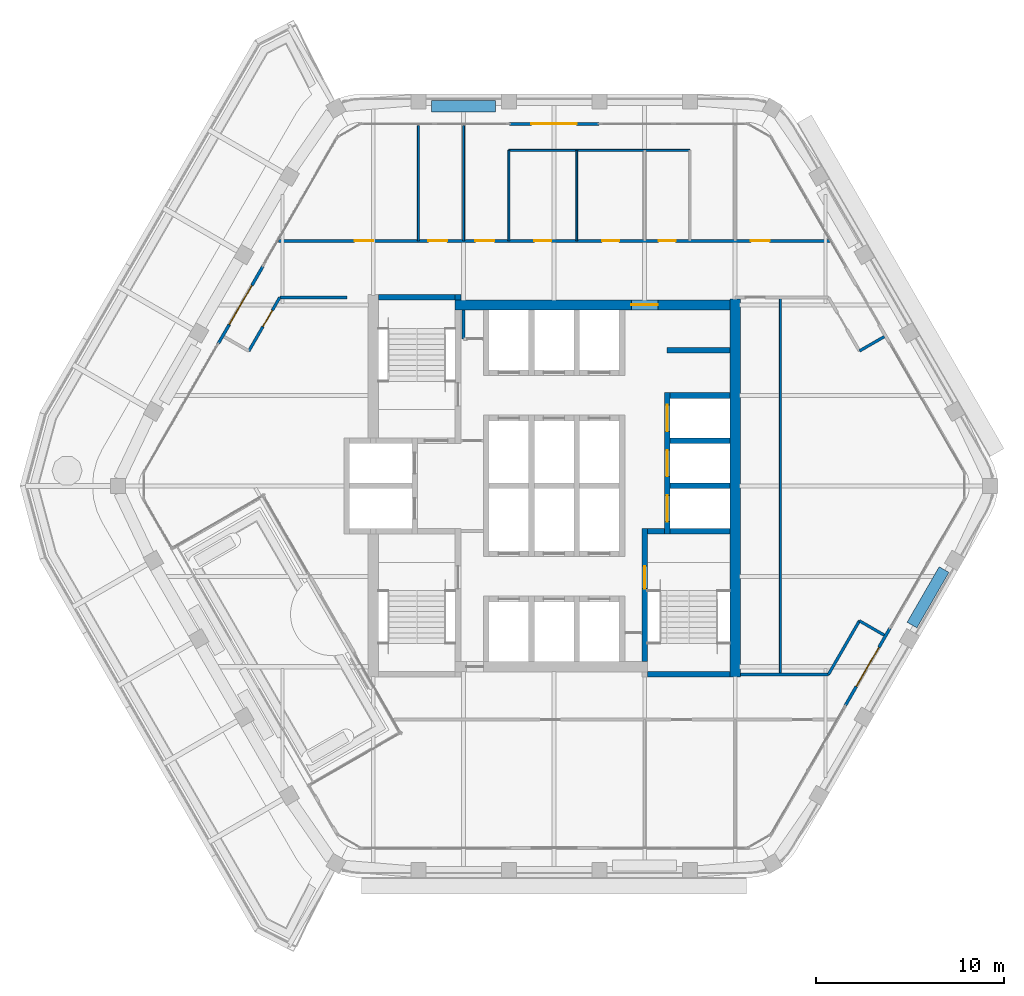
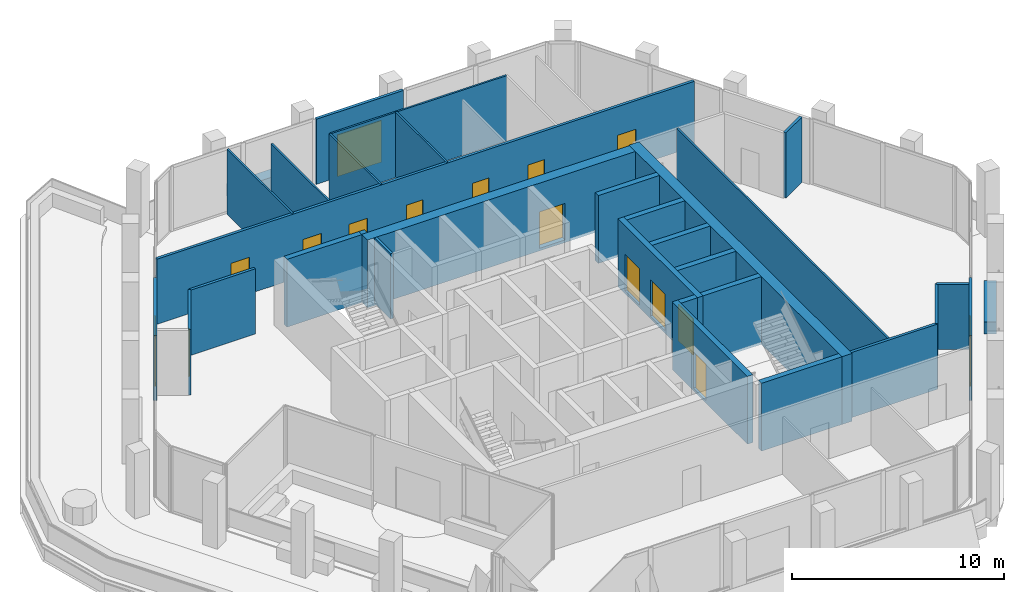
# One storey, part 11 of 15: 32 walls, 16 doors, 16 openings.
"""IFC4 building model written with IfcOpenShell, lengths in metres."""

from ifc_helpers import new_model, si_unit, direction, frame, frame_2d, origin, place, context, subcontext, project, spatial, rectangle, extrude, material, layer, layer_set, type_object, element, fill, save


model = new_model("IFC4")

# Units and contexts
model_context = context("Model", 3, precision=1e-05, world=origin(), true_north=direction((0.0, 1.0)))
body_context = subcontext(model_context, "Body", "Model", "MODEL_VIEW")
ifc_project = project(units=[si_unit("LENGTHUNIT", "METRE"), si_unit("AREAUNIT", "SQUARE_METRE"), si_unit("VOLUMEUNIT", "CUBIC_METRE"), si_unit("PLANEANGLEUNIT", "RADIAN"), si_unit("MASSUNIT", "GRAM", prefix="KILO")], contexts=[model_context])

# Site, building, storey
site_placement = place(None, origin())
site = spatial("IfcSite", under=ifc_project, at=site_placement, CompositionType="ELEMENT")
building_placement = place(site_placement, origin())
building = spatial("IfcBuilding", under=site, at=building_placement, Name="Kolab Exchange Tower", CompositionType="ELEMENT")
storey_placement = place(building_placement, frame((0.0, 0.0, 238.39990234375)))
storey = spatial("IfcBuildingStorey", under=building, at=storey_placement, Name="L52", CompositionType="ELEMENT", Elevation=238.39990234375)

# Wall, opening, door
ifc_material_1 = material(Name="Concrete C50/60", Category="concrete")
ifc_layer_1 = layer(ifc_material_1, 0.550048828125)
ifc_layer_set_1 = layer_set([ifc_layer_1], Name="Concrete C50/60")
wall_type_1 = type_object("IfcWallType", Name="CORE WALL 550 C50/60", PredefinedType="SHEAR", material=ifc_layer_set_1)
wall_1_placement = place(storey_placement, frame((-5.25, 9.60009765625, -0.14990234375), z_axis=(0.0, 0.0, 1.0), x_axis=(1.0, 0.0, 0.0)))
wall_1 = element("IfcWall", 1, at=wall_1_placement, inside=storey, type_object=wall_type_1, Name="wall/L52/core/031", PredefinedType="SHEAR", context=body_context, shape_type="SweptSolid", body=[
    extrude(rectangle(XDim=14.574951171875, YDim=0.550048828125, at=frame_2d((7.28759765625, 0.0))), origin(), (0.0, 0.0, 1.0), 3.89990234375),
])
opening_1_placement = place(wall_1_placement, frame((9.35009765625, 0.0, 0.14990234375)))
opening_1 = element("IfcOpeningElement", 2, at=opening_1_placement, cuts=wall_1, Name="Opening D5-011", PredefinedType="OPENING", context=body_context, shape_type="SweptSolid", body=[
    extrude(rectangle(XDim=1.39990234375, YDim=2.10009765625, at=frame_2d((0.699951171875, 1.050048828125))), frame((0.0, 0.28515625, 0.0), z_axis=(0.0, -1.0, 0.0), x_axis=(1.0, 0.0, 0.0)), (0.0, 0.0, 1.0), 0.570068359375),
])
ifc_material_2 = material(Name="Steel S235", Category="steel")
door_type_1 = type_object("IfcDoorType", Name="CORE DOOR 1400 EI 120", OperationType="DOUBLE_DOOR_SINGLE_SWING", PredefinedType="DOOR", material=ifc_material_2)
door_1_placement = place(opening_1_placement, frame((1.39990234375, 0.0, 0.0), z_axis=(0.0, 0.0, 1.0), x_axis=(-1.0, 0.0, 0.0)))
door_1 = element("IfcDoor", 3, at=door_1_placement, inside=storey, type_object=door_type_1, Name="Core lobby door", OperationType="SINGLE_SWING_LEFT", OverallHeight=2.10009765625, OverallWidth=1.39990234375, PredefinedType="DOOR", context=body_context, shape_type="SweptSolid", body=[
    extrude(rectangle(XDim=1.39990234375, YDim=2.10009765625, at=frame_2d((0.699951171875, 1.050048828125))), frame((0.0, 0.02490234375, 0.0), z_axis=(0.0, -1.0, 0.0), x_axis=(1.0, 0.0, 0.0)), (0.0, 0.0, 1.0), 0.050048828125),
])
fill(opening_1, door_1)

# Wall
wall_2_placement = place(storey_placement, frame((9.60009765625, -10.14990234375, -0.14990234375), z_axis=(0.0, 0.0, 1.0), x_axis=(0.0, 1.0, 0.0)))
element("IfcWall", 4, at=wall_2_placement, inside=storey, type_object=wall_type_1, Name="wall/L52/core/058", PredefinedType="SHEAR", context=body_context, shape_type="SweptSolid", body=[
    extrude(rectangle(XDim=20.074951171875, YDim=0.550048828125, at=frame_2d((10.03759765625, 0.0))), origin(), (0.0, 0.0, 1.0), 3.89990234375),
])

# Wall, opening, door
ifc_material_3 = material(Name="Aluminium EN AW-6063 T6", Category="aluminium")
ifc_layer_2 = layer(ifc_material_3, 0.159912109375)
ifc_layer_set_2 = layer_set([ifc_layer_2], Name="Aluminium EN AW-6063 T6")
wall_type_2 = type_object("IfcWallType", Name="DOOR SURROUND WALL 160 ALUMINIUM FRAMED", PredefinedType="PARTITIONING", material=ifc_layer_set_2)
wall_3_placement = place(storey_placement, frame((-2.3701171875, 19.20458984375, 0.0), z_axis=(0.0, 0.0, 1.0), x_axis=(1.0, 0.0, 0.0)))
wall_3 = element("IfcWall", 5, at=wall_3_placement, inside=storey, type_object=wall_type_2, Name="Door surround wall", PredefinedType="PARTITIONING", context=body_context, shape_type="SweptSolid", body=[
    extrude(rectangle(XDim=4.740234375, YDim=0.159912109375, at=frame_2d((2.3701171875, 0.0))), origin(), (0.0, 0.0, 1.0), 3.75),
])
opening_2_placement = place(wall_3_placement, frame((1.169921875, 0.0, 0.0)))
opening_2 = element("IfcOpeningElement", 6, at=opening_2_placement, cuts=wall_3, Name="Opening GD1-089", PredefinedType="OPENING", context=body_context, shape_type="SweptSolid", body=[
    extrude(rectangle(XDim=2.39990234375, YDim=2.39990234375, at=frame_2d((1.199951171875, 1.199951171875))), frame((0.0, 0.08984375, 0.0), z_axis=(0.0, -1.0, 0.0), x_axis=(1.0, 0.0, 0.0)), (0.0, 0.0, 1.0), 0.179931640625),
])
door_type_2 = type_object("IfcDoorType", Name="LOGGIA SLIDING GLASS DOOR 2400 X 2400", OperationType="DOUBLE_DOOR_SINGLE_SWING", PredefinedType="DOOR", material=ifc_material_3)
door_2_placement = place(opening_2_placement, origin())
door_2 = element("IfcDoor", 7, at=door_2_placement, inside=storey, type_object=door_type_2, Name="Loggia door", OperationType="DOUBLE_DOOR_SLIDING", OverallHeight=2.39990234375, OverallWidth=2.39990234375, PredefinedType="DOOR", context=body_context, shape_type="SweptSolid", body=[
    extrude(rectangle(XDim=2.39990234375, YDim=2.39990234375, at=frame_2d((1.199951171875, 1.199951171875))), frame((0.0, 0.02490234375, 0.0), z_axis=(0.0, -1.0, 0.0), x_axis=(1.0, 0.0, 0.0)), (0.0, 0.0, 1.0), 0.050048828125),
])
fill(opening_2, door_2)

wall_4_placement = place(storey_placement, frame((17.816650390625, -7.5498046875, 0.0), z_axis=(0.0, 0.0, 1.0), x_axis=(-0.499978080042, -0.866038058908, 0.0)))
wall_4 = element("IfcWall", 8, at=wall_4_placement, inside=storey, type_object=wall_type_2, Name="Door surround wall", PredefinedType="PARTITIONING", context=body_context, shape_type="SweptSolid", body=[
    extrude(rectangle(XDim=4.739990234375, YDim=0.159912109375, at=frame_2d((2.3701171875, 0.0))), origin(), (0.0, 0.0, 1.0), 3.75),
])
opening_3_placement = place(wall_4_placement, frame((1.169921875, 0.0, 0.0)))
opening_3 = element("IfcOpeningElement", 9, at=opening_3_placement, cuts=wall_4, Name="Opening GD1-091", PredefinedType="OPENING", context=body_context, shape_type="SweptSolid", body=[
    extrude(rectangle(XDim=2.39990234375, YDim=2.39990234375, at=frame_2d((1.199951171875, 1.199951171875))), frame((0.0, 0.08984375, 0.0), z_axis=(0.0, -1.0, 0.0), x_axis=(1.0, 0.0, 0.0)), (0.0, 0.0, 1.0), 0.179931640625),
])
door_3_placement = place(opening_3_placement, origin())
door_3 = element("IfcDoor", 10, at=door_3_placement, inside=storey, type_object=door_type_2, Name="Loggia door", OperationType="DOUBLE_DOOR_SLIDING", OverallHeight=2.39990234375, OverallWidth=2.39990234375, PredefinedType="DOOR", context=body_context, shape_type="SweptSolid", body=[
    extrude(rectangle(XDim=2.39990234375, YDim=2.39990234375, at=frame_2d((1.199951171875, 1.199951171875))), frame((0.0, 0.02490234375, 0.0), z_axis=(0.0, -1.0, 0.0), x_axis=(1.0, 0.0, 0.0)), (0.0, 0.0, 1.0), 0.050048828125),
])
fill(opening_3, door_3)

wall_5_placement = place(storey_placement, frame((-17.816650390625, 7.5498046875, 0.0), z_axis=(0.0, 0.0, 1.0), x_axis=(0.499978080042, 0.866038058908, 0.0)))
wall_5 = element("IfcWall", 11, at=wall_5_placement, inside=storey, type_object=wall_type_2, Name="Door surround wall", PredefinedType="PARTITIONING", context=body_context, shape_type="SweptSolid", body=[
    extrude(rectangle(XDim=4.739990234375, YDim=0.159912109375, at=frame_2d((2.3701171875, 0.0))), origin(), (0.0, 0.0, 1.0), 3.75),
])
opening_4_placement = place(wall_5_placement, frame((1.169921875, 0.0, 0.0)))
opening_4 = element("IfcOpeningElement", 12, at=opening_4_placement, cuts=wall_5, Name="Opening GD1-094", PredefinedType="OPENING", context=body_context, shape_type="SweptSolid", body=[
    extrude(rectangle(XDim=2.39990234375, YDim=2.39990234375, at=frame_2d((1.199951171875, 1.199951171875))), frame((0.0, 0.08984375, 0.0), z_axis=(0.0, -1.0, 0.0), x_axis=(1.0, 0.0, 0.0)), (0.0, 0.0, 1.0), 0.179931640625),
])
door_4_placement = place(opening_4_placement, origin())
door_4 = element("IfcDoor", 13, at=door_4_placement, inside=storey, type_object=door_type_2, Name="Loggia door", OperationType="DOUBLE_DOOR_SLIDING", OverallHeight=2.39990234375, OverallWidth=2.39990234375, PredefinedType="DOOR", context=body_context, shape_type="SweptSolid", body=[
    extrude(rectangle(XDim=2.39990234375, YDim=2.39990234375, at=frame_2d((1.199951171875, 1.199951171875))), frame((0.0, 0.02490234375, 0.0), z_axis=(0.0, -1.0, 0.0), x_axis=(1.0, 0.0, 0.0)), (0.0, 0.0, 1.0), 0.050048828125),
])
fill(opening_4, door_4)

# Walls
ifc_layer_3 = layer(ifc_material_1, 0.300048828125)
ifc_layer_set_3 = layer_set([ifc_layer_3], Name="Concrete C50/60")
wall_type_3 = type_object("IfcWallType", Name="LIFT SHAFT WALL 300 C50/60", PredefinedType="STANDARD", material=ifc_layer_set_3)
for number, where, z_axis, x_axis, name in (
    (14, (6.14990234375, 0.0, -0.14990234375), (0.0, 0.0, 1.0), (1.0, 0.0, 0.0), "wall/L52/core/018"),
    (15, (6.14990234375, 2.39990234375, -0.14990234375), (0.0, 0.0, 1.0), (1.0, 0.0, 0.0), "wall/L52/core/022"),
    (16, (6.14990234375, 4.800048828125, -0.14990234375), (0.0, 0.0, 1.0), (1.0, 0.0, 0.0), "wall/L52/core/026"),
):
    element("IfcWall", number, at=place(storey_placement, frame(where, z_axis=z_axis, x_axis=x_axis)), inside=storey, type_object=wall_type_3, Name=name, PredefinedType="STANDARD", context=body_context, shape_type="SweptSolid", body=[
        extrude(rectangle(XDim=3.175048828125, YDim=0.300048828125, at=frame_2d((1.58740234375, 0.0))), origin(), (0.0, 0.0, 1.0), 3.89990234375),
    ])
wall_6_placement = place(storey_placement, frame((6.0, 7.199951171875, -0.14990234375), z_axis=(0.0, 0.0, 1.0), x_axis=(1.0, 0.0, 0.0)))
element("IfcWall", 17, at=wall_6_placement, inside=storey, type_object=wall_type_3, Name="wall/L52/core/030", PredefinedType="STANDARD", context=body_context, shape_type="SweptSolid", body=[
    extrude(rectangle(XDim=3.324951171875, YDim=0.300048828125, at=frame_2d((1.66259765625, 0.0))), origin(), (0.0, 0.0, 1.0), 3.89990234375),
])

# Wall, openings, doors
wall_7_placement = place(storey_placement, frame((6.0, -2.550048828125, -0.14990234375), z_axis=(0.0, 0.0, 1.0), x_axis=(0.0, 1.0, 0.0)))
wall_7 = element("IfcWall", 18, at=wall_7_placement, inside=storey, type_object=wall_type_3, Name="wall/L52/core/057", PredefinedType="STANDARD", context=body_context, shape_type="SweptSolid", body=[
    extrude(rectangle(XDim=7.5, YDim=0.300048828125, at=frame_2d((3.75, 0.0))), origin(), (0.0, 0.0, 1.0), 3.89990234375),
])
opening_5_placement = place(wall_7_placement, frame((0.64990234375, 0.0, 0.14990234375)))
opening_5 = element("IfcOpeningElement", 19, at=opening_5_placement, cuts=wall_7, Name="Opening LD3-037", PredefinedType="OPENING", context=body_context, shape_type="SweptSolid", body=[
    extrude(rectangle(XDim=1.39990234375, YDim=2.10009765625, at=frame_2d((0.699951171875, 1.050048828125))), frame((0.0, 0.16015625, 0.0), z_axis=(0.0, -1.0, 0.0), x_axis=(1.0, 0.0, 0.0)), (0.0, 0.0, 1.0), 0.320068359375),
])
opening_6_placement = place(wall_7_placement, frame((3.050048828125, 0.0, 0.14990234375)))
opening_6 = element("IfcOpeningElement", 20, at=opening_6_placement, cuts=wall_7, Name="Opening LD3-038", PredefinedType="OPENING", context=body_context, shape_type="SweptSolid", body=[
    extrude(rectangle(XDim=1.39990234375, YDim=2.10009765625, at=frame_2d((0.699951171875, 1.050048828125))), frame((0.0, 0.16015625, 0.0), z_axis=(0.0, -1.0, 0.0), x_axis=(1.0, 0.0, 0.0)), (0.0, 0.0, 1.0), 0.320068359375),
])
opening_7_placement = place(wall_7_placement, frame((5.449951171875, 0.0, 0.14990234375)))
opening_7 = element("IfcOpeningElement", 21, at=opening_7_placement, cuts=wall_7, Name="Opening LD3-039", PredefinedType="OPENING", context=body_context, shape_type="SweptSolid", body=[
    extrude(rectangle(XDim=1.39990234375, YDim=2.10009765625, at=frame_2d((0.699951171875, 1.050048828125))), frame((0.0, 0.16015625, 0.0), z_axis=(0.0, -1.0, 0.0), x_axis=(1.0, 0.0, 0.0)), (0.0, 0.0, 1.0), 0.320068359375),
])
ifc_material_4 = material(Name="Stainless steel 316", Category="steel")
door_type_3 = type_object("IfcDoorType", Name="LANDING DOOR 1400 SERVICE", OperationType="DOUBLE_DOOR_SLIDING", PredefinedType="DOOR", material=ifc_material_4)
door_5_placement = place(opening_5_placement, origin())
door_5 = element("IfcDoor", 22, at=door_5_placement, inside=storey, type_object=door_type_3, Name="Landing door SV1", OperationType="DOUBLE_DOOR_SLIDING", OverallHeight=2.10009765625, OverallWidth=1.39990234375, PredefinedType="DOOR", context=body_context, shape_type="SweptSolid", body=[
    extrude(rectangle(XDim=1.39990234375, YDim=2.10009765625, at=frame_2d((0.699951171875, 1.050048828125))), frame((0.0, 0.02490234375, 0.0), z_axis=(0.0, -1.0, 0.0), x_axis=(1.0, 0.0, 0.0)), (0.0, 0.0, 1.0), 0.050048828125),
])
fill(opening_5, door_5)
door_6_placement = place(opening_6_placement, origin())
door_6 = element("IfcDoor", 23, at=door_6_placement, inside=storey, type_object=door_type_3, Name="Landing door SV2", OperationType="DOUBLE_DOOR_SLIDING", OverallHeight=2.10009765625, OverallWidth=1.39990234375, PredefinedType="DOOR", context=body_context, shape_type="SweptSolid", body=[
    extrude(rectangle(XDim=1.39990234375, YDim=2.10009765625, at=frame_2d((0.699951171875, 1.050048828125))), frame((0.0, 0.02490234375, 0.0), z_axis=(0.0, -1.0, 0.0), x_axis=(1.0, 0.0, 0.0)), (0.0, 0.0, 1.0), 0.050048828125),
])
fill(opening_6, door_6)
door_7_placement = place(opening_7_placement, origin())
door_7 = element("IfcDoor", 24, at=door_7_placement, inside=storey, type_object=door_type_3, Name="Landing door SV3", OperationType="DOUBLE_DOOR_SLIDING", OverallHeight=2.10009765625, OverallWidth=1.39990234375, PredefinedType="DOOR", context=body_context, shape_type="SweptSolid", body=[
    extrude(rectangle(XDim=1.39990234375, YDim=2.10009765625, at=frame_2d((0.699951171875, 1.050048828125))), frame((0.0, 0.02490234375, 0.0), z_axis=(0.0, -1.0, 0.0), x_axis=(1.0, 0.0, 0.0)), (0.0, 0.0, 1.0), 0.050048828125),
])
fill(opening_7, door_7)

# Walls
ifc_material_5 = material(Name="Gypsum board", Category="gypsum")
ifc_layer_4 = layer(ifc_material_5, 0.10009765625)
ifc_layer_set_4 = layer_set([ifc_layer_4], Name="Gypsum board")
wall_type_4 = type_object("IfcWallType", Name="PARTITION 100", PredefinedType="PARTITIONING", material=ifc_layer_set_4)
wall_8_placement = place(storey_placement, frame((12.0, -10.0, 0.0), z_axis=(0.0, 0.0, 1.0), x_axis=(0.0, 1.0, 0.0)))
element("IfcWall", 25, at=wall_8_placement, inside=storey, type_object=wall_type_4, Name="Partition 000", PredefinedType="PARTITIONING", context=body_context, shape_type="SweptSolid", body=[
    extrude(rectangle(XDim=20.0, YDim=0.10009765625, at=frame_2d((10.0, 0.0))), origin(), (0.0, 0.0, 1.0), 3.75),
])
for number, where, z_axis, x_axis, name in (
    (26, (1.199951171875, 13.0, 0.0), (0.0, 0.0, 1.0), (0.0, 1.0, 0.0), "Partition 006"),
    (27, (-2.39990234375, 13.0, 0.0), (0.0, 0.0, 1.0), (0.0, 1.0, 0.0), "Partition 007"),
):
    element("IfcWall", number, at=place(storey_placement, frame(where, z_axis=z_axis, x_axis=x_axis)), inside=storey, type_object=wall_type_4, Name=name, PredefinedType="PARTITIONING", context=body_context, shape_type="SweptSolid", body=[
        extrude(rectangle(XDim=4.800048828125, YDim=0.10009765625, at=frame_2d((2.39990234375, 0.0))), origin(), (0.0, 0.0, 1.0), 3.75),
    ])
wall_9_placement = place(storey_placement, frame((-4.800048828125, 13.0, 0.0), z_axis=(0.0, 0.0, 1.0), x_axis=(0.0, 1.0, 0.0)))
element("IfcWall", 28, at=wall_9_placement, inside=storey, type_object=wall_type_4, Name="Partition 008", PredefinedType="PARTITIONING", context=body_context, shape_type="SweptSolid", body=[
    extrude(rectangle(XDim=6.114501953125, YDim=0.10009765625, at=frame_2d((3.05712890625, 0.0))), origin(), (0.0, 0.0, 1.0), 3.217041015625),
])
wall_10_placement = place(storey_placement, frame((-7.199951171875, 13.0, 0.0), z_axis=(0.0, 0.0, 1.0), x_axis=(0.0, 1.0, 0.0)))
element("IfcWall", 29, at=wall_10_placement, inside=storey, type_object=wall_type_4, Name="Partition 010", PredefinedType="PARTITIONING", context=body_context, shape_type="SweptSolid", body=[
    extrude(rectangle(XDim=6.114501953125, YDim=0.10009765625, at=frame_2d((3.05712890625, 0.0))), origin(), (0.0, 0.0, 1.0), 3.75),
])
wall_11_placement = place(storey_placement, frame((-2.39990234375, 17.800048828125, 0.0), z_axis=(0.0, 0.0, 1.0), x_axis=(1.0, 0.0, 0.0)))
element("IfcWall", 30, at=wall_11_placement, inside=storey, type_object=wall_type_4, Name="Partition 024", PredefinedType="PARTITIONING", context=body_context, shape_type="SweptSolid", body=[
    extrude(rectangle(XDim=9.599853515625, YDim=0.10009765625, at=frame_2d((4.7998046875, 0.0))), origin(), (0.0, 0.0, 1.0), 3.75),
])
ifc_layer_5 = layer(ifc_material_5, 0.14990234375)
ifc_layer_set_5 = layer_set([ifc_layer_5], Name="Gypsum board")
wall_type_5 = type_object("IfcWallType", Name="PARTITION 150 FIRE-RATED", PredefinedType="PARTITIONING", material=ifc_layer_set_5)
wall_12_placement = place(storey_placement, frame((-4.800048828125, 7.800048828125, 0.0), z_axis=(0.0, 0.0, 1.0), x_axis=(0.0, 1.0, 0.0)))
element("IfcWall", 31, at=wall_12_placement, inside=storey, type_object=wall_type_5, Name="Partition 009", PredefinedType="PARTITIONING", context=body_context, shape_type="SweptSolid", body=[
    extrude(rectangle(XDim=1.52490234375, YDim=0.14990234375, at=frame_2d((0.762451171875, 0.0))), origin(), (0.0, 0.0, 1.0), 3.75),
])
wall_13_placement = place(storey_placement, frame((14.5546875, -10.0, 0.0), z_axis=(0.0, 0.0, 1.0), x_axis=(0.499954196102, 0.866051847062, 0.0)))
element("IfcWall", 32, at=wall_13_placement, inside=storey, type_object=wall_type_5, Name="Partition 012", PredefinedType="PARTITIONING", context=body_context, shape_type="SweptSolid", body=[
    extrude(rectangle(XDim=3.282958984375, YDim=0.14990234375, at=frame_2d((1.6416015625, 0.0))), origin(), (0.0, 0.0, 1.0), 3.75),
])

# Wall, opening, door
wall_14_placement = place(storey_placement, frame((-16.196044921875, 7.15673828125, 0.0), z_axis=(0.0, 0.0, 1.0), x_axis=(0.499954196102, 0.866051847062, 0.0)))
wall_14 = element("IfcWall", 33, at=wall_14_placement, inside=storey, type_object=wall_type_5, Name="Partition 013", PredefinedType="PARTITIONING", context=body_context, shape_type="SweptSolid", body=[
    extrude(rectangle(XDim=3.282958984375, YDim=0.14990234375, at=frame_2d((1.6416015625, 0.0))), origin(), (0.0, 0.0, 1.0), 3.75),
])
opening_8_placement = place(wall_14_placement, frame((1.489013671875, 0.0, 0.0)))
opening_8 = element("IfcOpeningElement", 34, at=opening_8_placement, cuts=wall_14, Name="Opening D1-670", PredefinedType="OPENING", context=body_context, shape_type="SweptSolid", body=[
    extrude(rectangle(XDim=1.0, YDim=2.10009765625, at=frame_2d((0.5, 1.050048828125))), frame((0.0, 0.0849609375, 0.0), z_axis=(0.0, -1.0, 0.0), x_axis=(1.0, 0.0, 0.0)), (0.0, 0.0, 1.0), 0.169921875),
])
door_type_4 = type_object("IfcDoorType", Name="FLUSH DOOR 1000 FD60", OperationType="SINGLE_SWING_LEFT", PredefinedType="DOOR", material=ifc_material_2)
door_8_placement = place(opening_8_placement, frame((1.0, 0.0, 0.0), z_axis=(0.0, 0.0, 1.0), x_axis=(-1.0, 0.0, 0.0)))
door_8 = element("IfcDoor", 35, at=door_8_placement, inside=storey, type_object=door_type_4, Name="Door L52-041", OperationType="SINGLE_SWING_RIGHT", OverallHeight=2.10009765625, OverallWidth=1.0, PredefinedType="DOOR", context=body_context, shape_type="SweptSolid", body=[
    extrude(rectangle(XDim=1.0, YDim=2.10009765625, at=frame_2d((0.5, 1.050048828125))), frame((0.0, 0.02490234375, 0.0), z_axis=(0.0, -1.0, 0.0), x_axis=(1.0, 0.0, 0.0)), (0.0, 0.0, 1.0), 0.050048828125),
])
fill(opening_8, door_8)

# Walls
for number, where, z_axis, x_axis, name in (
    (36, (16.196044921875, -7.15673828125, 0.0), (0.0, 0.0, 1.0), (0.865960906633, -0.500111695708, 0.0), "Partition 015"),
    (37, (16.196044921875, 7.15673828125, 0.0), (0.0, 0.0, 1.0), (0.865960906633, 0.500111695708, 0.0), "Partition 016"),
):
    element("IfcWall", number, at=place(storey_placement, frame(where, z_axis=z_axis, x_axis=x_axis)), inside=storey, type_object=wall_type_5, Name=name, PredefinedType="PARTITIONING", context=body_context, shape_type="SweptSolid", body=[
        extrude(rectangle(XDim=1.520263671875, YDim=0.14990234375, at=frame_2d((0.76025390625, 0.0))), origin(), (0.0, 0.0, 1.0), 3.75),
    ])
wall_15_placement = place(storey_placement, frame((9.875, -10.0, 0.0), z_axis=(0.0, 0.0, 1.0), x_axis=(1.0, 0.0, 0.0)))
element("IfcWall", 38, at=wall_15_placement, inside=storey, type_object=wall_type_5, Name="Partition 018", PredefinedType="PARTITIONING", context=body_context, shape_type="SweptSolid", body=[
    extrude(rectangle(XDim=4.6796875, YDim=0.14990234375, at=frame_2d((2.33984375, 0.0))), origin(), (0.0, 0.0, 1.0), 3.75),
])
wall_16_placement = place(storey_placement, frame((-14.5546875, 10.0, 0.0), z_axis=(0.0, 0.0, 1.0), x_axis=(1.0, 0.0, 0.0)))
element("IfcWall", 39, at=wall_16_placement, inside=storey, type_object=wall_type_5, Name="Partition 021", PredefinedType="PARTITIONING", context=body_context, shape_type="SweptSolid", body=[
    extrude(rectangle(XDim=3.5546875, YDim=0.14990234375, at=frame_2d((1.77734375, 0.0))), origin(), (0.0, 0.0, 1.0), 3.75),
])

# Wall, openings, doors
wall_17_placement = place(storey_placement, frame((-14.623779296875, 13.0, 0.0), z_axis=(0.0, 0.0, 1.0), x_axis=(1.0, 0.0, 0.0)))
wall_17 = element("IfcWall", 40, at=wall_17_placement, inside=storey, type_object=wall_type_5, Name="Partition 023", PredefinedType="PARTITIONING", context=body_context, shape_type="SweptSolid", body=[
    extrude(rectangle(XDim=29.24755859375, YDim=0.14990234375, at=frame_2d((14.623779296875, 0.0))), origin(), (0.0, 0.0, 1.0), 3.75),
])
opening_9_placement = place(wall_17_placement, frame((13.57373046875, 0.0, 0.0)))
opening_9 = element("IfcOpeningElement", 41, at=opening_9_placement, cuts=wall_17, Name="Opening D3-073", PredefinedType="OPENING", context=body_context, shape_type="SweptSolid", body=[
    extrude(rectangle(XDim=0.89990234375, YDim=2.10009765625, at=frame_2d((0.449951171875, 1.050048828125))), frame((0.0, 0.0849609375, 0.0), z_axis=(0.0, -1.0, 0.0), x_axis=(1.0, 0.0, 0.0)), (0.0, 0.0, 1.0), 0.169921875),
])
opening_10_placement = place(wall_17_placement, frame((17.173828125, 0.0, 0.0)))
opening_10 = element("IfcOpeningElement", 42, at=opening_10_placement, cuts=wall_17, Name="Opening D3-078", PredefinedType="OPENING", context=body_context, shape_type="SweptSolid", body=[
    extrude(rectangle(XDim=0.89990234375, YDim=2.10009765625, at=frame_2d((0.449951171875, 1.050048828125))), frame((0.0, 0.0849609375, 0.0), z_axis=(0.0, -1.0, 0.0), x_axis=(1.0, 0.0, 0.0)), (0.0, 0.0, 1.0), 0.169921875),
])
opening_11_placement = place(wall_17_placement, frame((20.173828125, 0.0, 0.0)))
opening_11 = element("IfcOpeningElement", 43, at=opening_11_placement, cuts=wall_17, Name="Opening D3-079", PredefinedType="OPENING", context=body_context, shape_type="SweptSolid", body=[
    extrude(rectangle(XDim=0.89990234375, YDim=2.10009765625, at=frame_2d((0.449951171875, 1.050048828125))), frame((0.0, 0.0849609375, 0.0), z_axis=(0.0, -1.0, 0.0), x_axis=(1.0, 0.0, 0.0)), (0.0, 0.0, 1.0), 0.169921875),
])
opening_12_placement = place(wall_17_placement, frame((4.037109375, 0.0, 0.0)))
opening_12 = element("IfcOpeningElement", 44, at=opening_12_placement, cuts=wall_17, Name="Opening D1-661", PredefinedType="OPENING", context=body_context, shape_type="SweptSolid", body=[
    extrude(rectangle(XDim=1.0, YDim=2.10009765625, at=frame_2d((0.5, 1.050048828125))), frame((0.0, 0.0849609375, 0.0), z_axis=(0.0, -1.0, 0.0), x_axis=(1.0, 0.0, 0.0)), (0.0, 0.0, 1.0), 0.169921875),
])
opening_13_placement = place(wall_17_placement, frame((7.94873046875, 0.0, 0.0)))
opening_13 = element("IfcOpeningElement", 45, at=opening_13_placement, cuts=wall_17, Name="Opening D1-662", PredefinedType="OPENING", context=body_context, shape_type="SweptSolid", body=[
    extrude(rectangle(XDim=1.0, YDim=2.10009765625, at=frame_2d((0.5, 1.050048828125))), frame((0.0, 0.0849609375, 0.0), z_axis=(0.0, -1.0, 0.0), x_axis=(1.0, 0.0, 0.0)), (0.0, 0.0, 1.0), 0.169921875),
])
opening_14_placement = place(wall_17_placement, frame((10.44873046875, 0.0, 0.0)))
opening_14 = element("IfcOpeningElement", 46, at=opening_14_placement, cuts=wall_17, Name="Opening D1-663", PredefinedType="OPENING", context=body_context, shape_type="SweptSolid", body=[
    extrude(rectangle(XDim=1.0, YDim=2.10009765625, at=frame_2d((0.5, 1.050048828125))), frame((0.0, 0.0849609375, 0.0), z_axis=(0.0, -1.0, 0.0), x_axis=(1.0, 0.0, 0.0)), (0.0, 0.0, 1.0), 0.169921875),
])
opening_15_placement = place(wall_17_placement, frame((25.05810546875, 0.0, 0.0)))
opening_15 = element("IfcOpeningElement", 47, at=opening_15_placement, cuts=wall_17, Name="Opening D1-664", PredefinedType="OPENING", context=body_context, shape_type="SweptSolid", body=[
    extrude(rectangle(XDim=1.0, YDim=2.10009765625, at=frame_2d((0.5, 1.050048828125))), frame((0.0, 0.0849609375, 0.0), z_axis=(0.0, -1.0, 0.0), x_axis=(1.0, 0.0, 0.0)), (0.0, 0.0, 1.0), 0.169921875),
])
door_9_placement = place(opening_12_placement, origin())
door_9 = element("IfcDoor", 48, at=door_9_placement, inside=storey, type_object=door_type_4, Name="Door L52-032", OperationType="SINGLE_SWING_RIGHT", OverallHeight=2.10009765625, OverallWidth=1.0, PredefinedType="DOOR", context=body_context, shape_type="SweptSolid", body=[
    extrude(rectangle(XDim=1.0, YDim=2.10009765625, at=frame_2d((0.5, 1.050048828125))), frame((0.0, 0.02490234375, 0.0), z_axis=(0.0, -1.0, 0.0), x_axis=(1.0, 0.0, 0.0)), (0.0, 0.0, 1.0), 0.050048828125),
])
fill(opening_12, door_9)
door_10_placement = place(opening_13_placement, origin())
door_10 = element("IfcDoor", 49, at=door_10_placement, inside=storey, type_object=door_type_4, Name="Door L52-033", OperationType="SINGLE_SWING_LEFT", OverallHeight=2.10009765625, OverallWidth=1.0, PredefinedType="DOOR", context=body_context, shape_type="SweptSolid", body=[
    extrude(rectangle(XDim=1.0, YDim=2.10009765625, at=frame_2d((0.5, 1.050048828125))), frame((0.0, 0.02490234375, 0.0), z_axis=(0.0, -1.0, 0.0), x_axis=(1.0, 0.0, 0.0)), (0.0, 0.0, 1.0), 0.050048828125),
])
fill(opening_13, door_10)
door_11_placement = place(opening_14_placement, origin())
door_11 = element("IfcDoor", 50, at=door_11_placement, inside=storey, type_object=door_type_4, Name="Door L52-034", OperationType="SINGLE_SWING_LEFT", OverallHeight=2.10009765625, OverallWidth=1.0, PredefinedType="DOOR", context=body_context, shape_type="SweptSolid", body=[
    extrude(rectangle(XDim=1.0, YDim=2.10009765625, at=frame_2d((0.5, 1.050048828125))), frame((0.0, 0.02490234375, 0.0), z_axis=(0.0, -1.0, 0.0), x_axis=(1.0, 0.0, 0.0)), (0.0, 0.0, 1.0), 0.050048828125),
])
fill(opening_14, door_11)
door_12_placement = place(opening_15_placement, origin())
door_12 = element("IfcDoor", 51, at=door_12_placement, inside=storey, type_object=door_type_4, Name="Door L52-035", OperationType="SINGLE_SWING_LEFT", OverallHeight=2.10009765625, OverallWidth=1.0, PredefinedType="DOOR", context=body_context, shape_type="SweptSolid", body=[
    extrude(rectangle(XDim=1.0, YDim=2.10009765625, at=frame_2d((0.5, 1.050048828125))), frame((0.0, 0.02490234375, 0.0), z_axis=(0.0, -1.0, 0.0), x_axis=(1.0, 0.0, 0.0)), (0.0, 0.0, 1.0), 0.050048828125),
])
fill(opening_15, door_12)
door_type_5 = type_object("IfcDoorType", Name="FLUSH DOOR 900 FD60", OperationType="SINGLE_SWING_LEFT", PredefinedType="DOOR", material=ifc_material_2)
door_13_placement = place(opening_9_placement, origin())
door_13 = element("IfcDoor", 52, at=door_13_placement, inside=storey, type_object=door_type_5, Name="Door L52-029", OperationType="SINGLE_SWING_RIGHT", OverallHeight=2.10009765625, OverallWidth=0.89990234375, PredefinedType="DOOR", context=body_context, shape_type="SweptSolid", body=[
    extrude(rectangle(XDim=0.89990234375, YDim=2.10009765625, at=frame_2d((0.449951171875, 1.050048828125))), frame((0.0, 0.02490234375, 0.0), z_axis=(0.0, -1.0, 0.0), x_axis=(1.0, 0.0, 0.0)), (0.0, 0.0, 1.0), 0.050048828125),
])
fill(opening_9, door_13)
door_14_placement = place(opening_10_placement, origin())
door_14 = element("IfcDoor", 53, at=door_14_placement, inside=storey, type_object=door_type_5, Name="Door L52-030", OperationType="SINGLE_SWING_RIGHT", OverallHeight=2.10009765625, OverallWidth=0.89990234375, PredefinedType="DOOR", context=body_context, shape_type="SweptSolid", body=[
    extrude(rectangle(XDim=0.89990234375, YDim=2.10009765625, at=frame_2d((0.449951171875, 1.050048828125))), frame((0.0, 0.02490234375, 0.0), z_axis=(0.0, -1.0, 0.0), x_axis=(1.0, 0.0, 0.0)), (0.0, 0.0, 1.0), 0.050048828125),
])
fill(opening_10, door_14)
door_15_placement = place(opening_11_placement, origin())
door_15 = element("IfcDoor", 54, at=door_15_placement, inside=storey, type_object=door_type_5, Name="Door L52-031", OperationType="SINGLE_SWING_LEFT", OverallHeight=2.10009765625, OverallWidth=0.89990234375, PredefinedType="DOOR", context=body_context, shape_type="SweptSolid", body=[
    extrude(rectangle(XDim=0.89990234375, YDim=2.10009765625, at=frame_2d((0.449951171875, 1.050048828125))), frame((0.0, 0.02490234375, 0.0), z_axis=(0.0, -1.0, 0.0), x_axis=(1.0, 0.0, 0.0)), (0.0, 0.0, 1.0), 0.050048828125),
])
fill(opening_11, door_15)

# Walls
ifc_material_6 = material(Name="Granite facing", Category="masonry")
ifc_layer_6 = layer(ifc_material_6, 0.0400390625)
ifc_material_7 = material(Name="Concrete C40/50 precast", Category="concrete")
ifc_layer_7 = layer(ifc_material_7, 0.56005859375)
ifc_layer_set_6 = layer_set([ifc_layer_6, ifc_layer_7], Name="Concrete C40/50 precast")
wall_type_6 = type_object("IfcWallType", Name="PLANTER BOX 600 X 700 SOIL DEPTH 550", PredefinedType="USERDEFINED", material=ifc_layer_set_6)
for number, where, z_axis, x_axis, name in (
    (55, (-6.5, 20.134521484375, 0.0), (0.0, 0.0, 1.0), (1.0, 0.0, 0.0), "Planter"),
    (56, (20.68701171875, -4.438232421875, 0.0), (0.0, 0.0, 1.0), (-0.500008388397, -0.866020560687, 0.0), "Planter"),
):
    element("IfcWall", number, at=place(storey_placement, frame(where, z_axis=z_axis, x_axis=x_axis)), inside=storey, type_object=wall_type_6, Name=name, ObjectType="PLANTER", PredefinedType="USERDEFINED", context=body_context, shape_type="SweptSolid", body=[
        extrude(rectangle(XDim=3.39990234375, YDim=0.60009765625, at=frame_2d((1.699951171875, 0.0))), origin(), (0.0, 0.0, 1.0), 0.7001953125),
    ])
ifc_layer_8 = layer(ifc_material_1, 0.300048828125)
ifc_layer_set_7 = layer_set([ifc_layer_8], Name="Concrete C50/60")
wall_type_7 = type_object("IfcWallType", Name="STAIR ENCLOSURE WALL 300 C50/60", PredefinedType="STANDARD", material=ifc_layer_set_7)
wall_18_placement = place(storey_placement, frame((4.949951171875, -10.0, -0.14990234375), z_axis=(0.0, 0.0, 1.0), x_axis=(1.0, 0.0, 0.0)))
element("IfcWall", 57, at=wall_18_placement, inside=storey, type_object=wall_type_7, Name="wall/L52/core/001", PredefinedType="STANDARD", context=body_context, shape_type="SweptSolid", body=[
    extrude(rectangle(XDim=4.375, YDim=0.300048828125, at=frame_2d((2.1875, 0.0))), origin(), (0.0, 0.0, 1.0), 3.89990234375),
])
wall_19_placement = place(storey_placement, frame((4.949951171875, -2.39990234375, -0.14990234375), z_axis=(0.0, 0.0, 1.0), x_axis=(1.0, 0.0, 0.0)))
element("IfcWall", 58, at=wall_19_placement, inside=storey, type_object=wall_type_7, Name="wall/L52/core/012", PredefinedType="STANDARD", context=body_context, shape_type="SweptSolid", body=[
    extrude(rectangle(XDim=0.900146484375, YDim=0.300048828125, at=frame_2d((0.4501953125, 0.0))), origin(), (0.0, 0.0, 1.0), 3.89990234375),
])
wall_20_placement = place(storey_placement, frame((6.14990234375, -2.39990234375, -0.14990234375), z_axis=(0.0, 0.0, 1.0), x_axis=(1.0, 0.0, 0.0)))
element("IfcWall", 59, at=wall_20_placement, inside=storey, type_object=wall_type_7, Name="wall/L52/core/013", PredefinedType="STANDARD", context=body_context, shape_type="SweptSolid", body=[
    extrude(rectangle(XDim=3.175048828125, YDim=0.300048828125, at=frame_2d((1.58740234375, 0.0))), origin(), (0.0, 0.0, 1.0), 3.89990234375),
])
wall_21_placement = place(storey_placement, frame((-9.324951171875, 10.0, -0.14990234375), z_axis=(0.0, 0.0, 1.0), x_axis=(1.0, 0.0, 0.0)))
element("IfcWall", 60, at=wall_21_placement, inside=storey, type_object=wall_type_7, Name="wall/L52/core/032", PredefinedType="STANDARD", context=body_context, shape_type="SweptSolid", body=[
    extrude(rectangle(XDim=4.074951171875, YDim=0.300048828125, at=frame_2d((2.03759765625, 0.0))), origin(), (0.0, 0.0, 1.0), 3.89990234375),
])
wall_22_placement = place(storey_placement, frame((-5.10009765625, 9.875, -0.14990234375), z_axis=(0.0, 0.0, 1.0), x_axis=(0.0, 1.0, 0.0)))
element("IfcWall", 61, at=wall_22_placement, inside=storey, type_object=wall_type_7, Name="wall/L52/core/042", PredefinedType="STANDARD", context=body_context, shape_type="SweptSolid", body=[
    extrude(rectangle(XDim=0.27490234375, YDim=0.300048828125, at=frame_2d((0.137451171875, 0.0))), origin(), (0.0, 0.0, 1.0), 3.89990234375),
])

# Wall, opening, door
wall_23_placement = place(storey_placement, frame((4.800048828125, -9.324951171875, -0.14990234375), z_axis=(0.0, 0.0, 1.0), x_axis=(0.0, 1.0, 0.0)))
wall_23 = element("IfcWall", 62, at=wall_23_placement, inside=storey, type_object=wall_type_7, Name="wall/L52/core/056", PredefinedType="STANDARD", context=body_context, shape_type="SweptSolid", body=[
    extrude(rectangle(XDim=7.074951171875, YDim=0.300048828125, at=frame_2d((3.53759765625, 0.0))), origin(), (0.0, 0.0, 1.0), 3.89990234375),
])
opening_16_placement = place(wall_23_placement, frame((3.875, 0.0, 0.14990234375)))
opening_16 = element("IfcOpeningElement", 63, at=opening_16_placement, cuts=wall_23, Name="Opening D4-077", PredefinedType="OPENING", context=body_context, shape_type="SweptSolid", body=[
    extrude(rectangle(XDim=1.199951171875, YDim=2.10009765625, at=frame_2d((0.60009765625, 1.050048828125))), frame((0.0, 0.16015625, 0.0), z_axis=(0.0, -1.0, 0.0), x_axis=(1.0, 0.0, 0.0)), (0.0, 0.0, 1.0), 0.320068359375),
])
door_type_6 = type_object("IfcDoorType", Name="STAIR DOOR 1200 EI 120", OperationType="SINGLE_SWING_LEFT", PredefinedType="DOOR", material=ifc_material_2)
door_16_placement = place(opening_16_placement, frame((1.199951171875, 0.0, 0.0), z_axis=(0.0, 0.0, 1.0), x_axis=(-1.0, 0.0, 0.0)))
door_16 = element("IfcDoor", 64, at=door_16_placement, inside=storey, type_object=door_type_6, Name="Stair 2 door", OperationType="SINGLE_SWING_RIGHT", OverallHeight=2.10009765625, OverallWidth=1.199951171875, PredefinedType="DOOR", context=body_context, shape_type="SweptSolid", body=[
    extrude(rectangle(XDim=1.199951171875, YDim=2.10009765625, at=frame_2d((0.60009765625, 1.050048828125))), frame((0.0, 0.02490234375, 0.0), z_axis=(0.0, -1.0, 0.0), x_axis=(1.0, 0.0, 0.0)), (0.0, 0.0, 1.0), 0.050048828125),
])
fill(opening_16, door_16)

save(model, "model.ifc")
